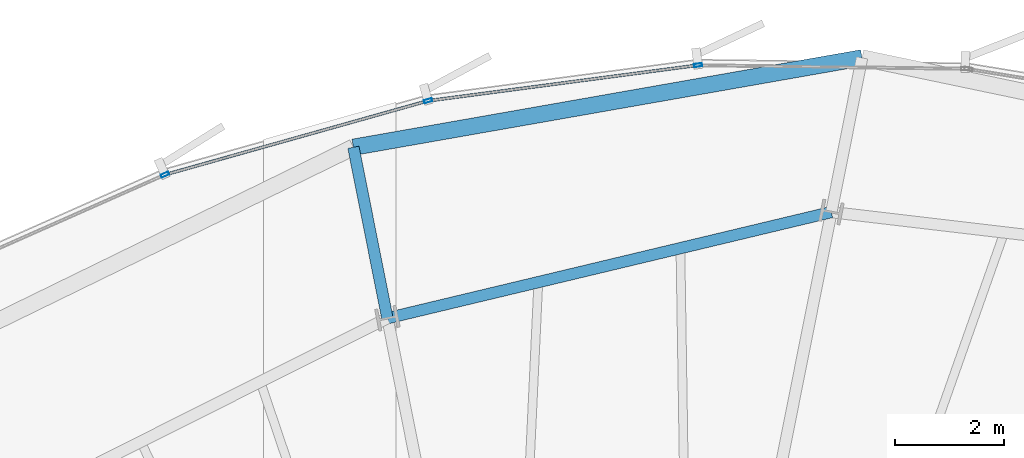
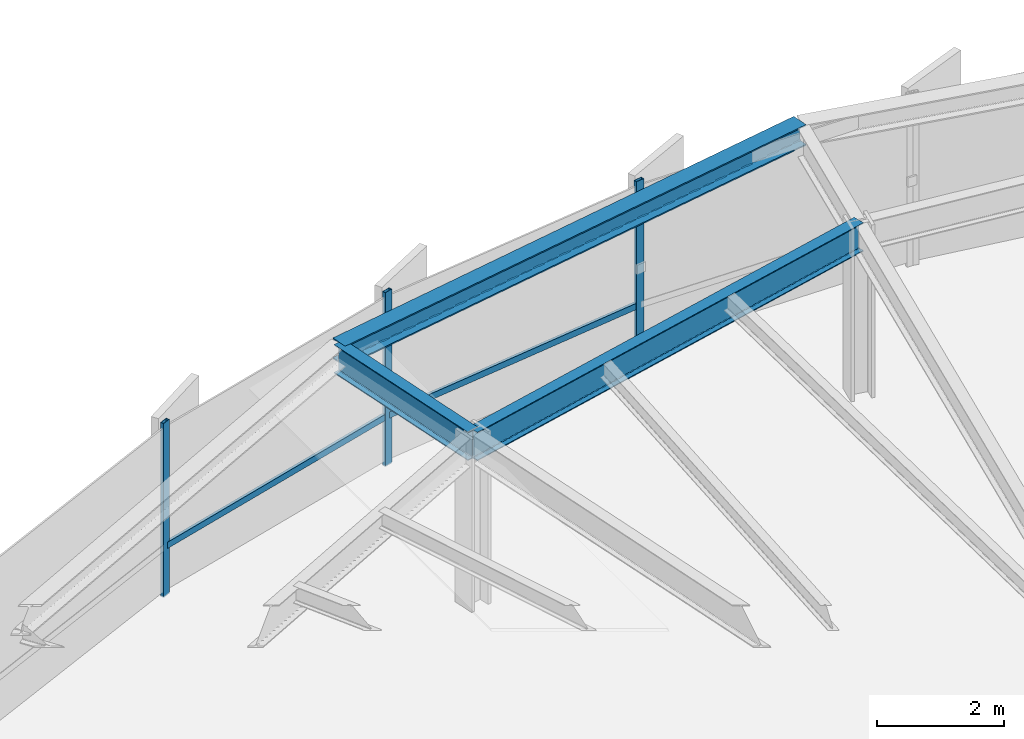
# One storey, part 21 of 33: 5 members, 3 beams, 1 element without a shape of its own.
"""IFC4 building model written with IfcOpenShell, lengths in metres."""

from ifc_helpers import new_model, si_unit, direction, frame, origin, origin_2d, place, context, subcontext, project, spatial, hollow_rectangle, i_section, extrude, source, transform, mapped, material, layer, layer_set, material_profile, profile_set, type_object, element, aggregate, save


model = new_model("IFC4")

# Units and contexts
model_context = context("Model", 3, precision=1e-05, world=origin(), true_north=direction((0.0, 1.0)))
body_context = subcontext(model_context, "Body", "Model", "MODEL_VIEW")
ifc_project = project(units=[si_unit("LENGTHUNIT", "METRE"), si_unit("AREAUNIT", "SQUARE_METRE"), si_unit("VOLUMEUNIT", "CUBIC_METRE"), si_unit("PLANEANGLEUNIT", "RADIAN"), si_unit("MASSUNIT", "GRAM", prefix="KILO"), si_unit("THERMODYNAMICTEMPERATUREUNIT", "KELVIN")], contexts=[model_context])

# Site, building, storey
site_placement = place(None, origin())
site = spatial("IfcSite", under=ifc_project, at=site_placement, CompositionType="ELEMENT")
building_placement = place(site_placement, origin())
building = spatial("IfcBuilding", under=site, at=building_placement, Name="Kethvar Cultural Tower", CompositionType="ELEMENT")
storey_placement = place(building_placement, frame((0.0, 0.0, 114.39990234375)))
storey = spatial("IfcBuildingStorey", under=building, at=storey_placement, Name="L28", CompositionType="ELEMENT", Elevation=114.39990234375)

# Beams
ifc_material_1 = material(Name="Steel S355J2", Category="steel")
ifc_material_profile_1 = material_profile(ifc_material_1, i_section(OverallWidth=0.2099609375, OverallDepth=0.550048828125, WebThickness=0.010986328125, FlangeThickness=0.01708984375, FilletRadius=0.02392578125, at=origin_2d()), Name="Steel S355J2 — IPE550")
ifc_profile_set_1 = profile_set([ifc_material_profile_1], Name="Steel S355J2 — IPE550")
beam_type_1 = type_object("IfcBeamType", Name="BM-IPE550", PredefinedType="BEAM", material=ifc_profile_set_1)
shared_shape_1 = source(origin(), body_context, "Body", "SweptSolid", [
    extrude(i_section(OverallWidth=0.2099609375, OverallDepth=0.550048828125, WebThickness=0.010986328125, FlangeThickness=0.01708984375, FilletRadius=0.02392578125, at=origin_2d()), origin(), (0.0, 0.0, 1.0), 3.199951171875),
])
beam_1_placement = place(storey_placement, frame((42.9189453125, 47.311279296875, 3.072998046875), z_axis=(-0.195088965533, 0.980785550224, 0.0), x_axis=(-0.980785550224, -0.195088965533, 0.0)))
element("IfcBeam", 1, at=beam_1_placement, inside=storey, type_object=beam_type_1, Name="L28 Perimeter Cantilever Beam RC-05", PredefinedType="BEAM", context=body_context, shape_type="MappedRepresentation", body=[
    mapped(shared_shape_1, transform((0.0, 0.0, 0.0), scale=1.0)),
])
shared_shape_2 = source(origin(), body_context, "Body", "SweptSolid", [
    extrude(i_section(OverallWidth=0.2099609375, OverallDepth=0.550048828125, WebThickness=0.010986328125, FlangeThickness=0.01708984375, FilletRadius=0.02392578125, at=origin_2d()), origin(), (0.0, 0.0, 1.0), 8.379150390625),
])
beam_2_placement = place(storey_placement, frame((51.068603515625, 49.25927734375, 3.072998046875), z_axis=(-0.972601380857, -0.232479147355, 0.0), x_axis=(0.232479147355, -0.972601380857, 0.0)))
element("IfcBeam", 2, at=beam_2_placement, inside=storey, type_object=beam_type_1, Name="L28 Column Ring Tie Beam CR-04", PredefinedType="BEAM", context=body_context, shape_type="MappedRepresentation", body=[
    mapped(shared_shape_2, transform((0.0, 0.0, 0.0), scale=1.0)),
])
ifc_material_profile_2 = material_profile(ifc_material_1, i_section(OverallWidth=0.300048828125, OverallDepth=0.39990234375, WebThickness=0.013427734375, FlangeThickness=0.02392578125, FilletRadius=0.027099609375, at=origin_2d()), Name="Steel S355J2 — HEB400")
ifc_profile_set_2 = profile_set([ifc_material_profile_2], Name="Steel S355J2 — HEB400")
beam_type_2 = type_object("IfcBeamType", Name="BM-SP400", PredefinedType="SPANDREL", material=ifc_profile_set_2)
shared_shape_3 = source(origin(), body_context, "Body", "SweptSolid", [
    extrude(i_section(OverallWidth=0.300048828125, OverallDepth=0.39990234375, WebThickness=0.013427734375, FlangeThickness=0.02392578125, FilletRadius=0.027099609375, at=origin_2d()), origin(), (0.0, 0.0, 1.0), 9.47998046875),
])
beam_3_placement = place(storey_placement, frame((51.631591796875, 52.0908203125, 3.148193359375), z_axis=(-0.984902069812, -0.17311242844, 0.0), x_axis=(0.17311242844, -0.984902069812, 0.0)))
element("IfcBeam", 3, at=beam_3_placement, inside=storey, type_object=beam_type_2, Name="L28 Perimeter Spandrel Beam SP-04", PredefinedType="SPANDREL", context=body_context, shape_type="MappedRepresentation", body=[
    mapped(shared_shape_3, transform((0.0, 0.0, 0.0), scale=1.0)),
])

# Curtain wall, members
ifc_material_2 = material(Name="Aluminium 6063-T6", Category="aluminium")
ifc_layer = layer(ifc_material_2, 0.179931640625, Name="Aluminium 6063-T6", Category="aluminium")
ifc_layer_set = layer_set([ifc_layer], Name="Aluminium 6063-T6 (180 mm)")
curtain_wall_type = type_object("IfcCurtainWallType", Name="CW-SYS-03-Z2", PredefinedType="NOTDEFINED", material=ifc_layer_set)
curtain_wall_placement = place(storey_placement, origin())
curtain_wall = element("IfcCurtainWall", 4, at=curtain_wall_placement, inside=storey, type_object=curtain_wall_type, Name="L28 Curtain Wall Run 02", PredefinedType="NOTDEFINED")
ifc_material_profile_3 = material_profile(ifc_material_2, hollow_rectangle(XDim=0.06005859375, YDim=0.14990234375, WallThickness=0.0048828125, at=origin_2d()), Name="Aluminium 6063-T6 — RHS150x60x5")
ifc_profile_set_3 = profile_set([ifc_material_profile_3], Name="Aluminium 6063-T6 — RHS150x60x5")
member_type_1 = type_object("IfcMemberType", Name="CW-SYS-03-Z2-MUL", PredefinedType="MULLION", material=ifc_profile_set_3)
shared_shape_4 = source(origin(), body_context, "Body", "SweptSolid", [
    extrude(hollow_rectangle(XDim=0.06005859375, YDim=0.14990234375, WallThickness=0.0048828125, at=origin_2d()), origin(), (0.0, 0.0, 1.0), 3.35009765625),
])
member_1_placement = place(storey_placement, frame((48.622314453125, 51.956298828125, 0.0), z_axis=(0.0, 0.0, 1.0), x_axis=(0.130906870087, -0.991394669828, 0.0)))
member_1 = element("IfcMember", 5, at=member_1_placement, type_object=member_type_1, Name="CW-L28-R02 Mullion 2", PredefinedType="MULLION", context=body_context, shape_type="MappedRepresentation", body=[
    mapped(shared_shape_4, transform((0.0, 0.0, 0.0), scale=1.0)),
])
member_2_placement = place(storey_placement, frame((43.664794921875, 51.302734375, 0.0), z_axis=(0.0, 0.0, 1.0), x_axis=(0.270684455649, -0.962668128417, 0.0)))
member_2 = element("IfcMember", 6, at=member_2_placement, type_object=member_type_1, Name="CW-L28-R02 Mullion 3", PredefinedType="MULLION", context=body_context, shape_type="MappedRepresentation", body=[
    mapped(shared_shape_4, transform((0.0, 0.0, 0.0), scale=1.0)),
])
member_3_placement = place(storey_placement, frame((38.835693359375, 49.9462890625, 0.0), z_axis=(0.0, 0.0, 1.0), x_axis=(0.405173500016, -0.914239812568, 0.0)))
member_3 = element("IfcMember", 7, at=member_3_placement, type_object=member_type_1, Name="CW-L28-R02 Mullion 4", PredefinedType="MULLION", context=body_context, shape_type="MappedRepresentation", body=[
    mapped(shared_shape_4, transform((0.0, 0.0, 0.0), scale=1.0)),
])
ifc_material_profile_4 = material_profile(ifc_material_2, hollow_rectangle(XDim=0.054931640625, YDim=0.1201171875, WallThickness=0.00390625, at=origin_2d()), Name="Aluminium 6063-T6 — RHS120x55x4")
ifc_profile_set_4 = profile_set([ifc_material_profile_4], Name="Aluminium 6063-T6 — RHS120x55x4")
member_type_2 = type_object("IfcMemberType", Name="CW-SYS-03-Z2-TRN", PredefinedType="USERDEFINED", material=ifc_profile_set_4)
shared_shape_5 = source(origin(), body_context, "Body", "SweptSolid", [
    extrude(hollow_rectangle(XDim=0.054931640625, YDim=0.1201171875, WallThickness=0.00390625, at=origin_2d()), origin(), (0.0, 0.0, 1.0), 4.930419921875),
])
member_4_placement = place(storey_placement, frame((48.579345703125, 51.950439453125, 0.9501953125), z_axis=(-0.991398755319, -0.130875925793, 0.0), x_axis=(0.130875925793, -0.991398755319, 0.0)))
member_4 = element("IfcMember", 8, at=member_4_placement, type_object=member_type_2, Name="CW-L28-R02 Transom 2", ObjectType="TRANSOM", PredefinedType="USERDEFINED", context=body_context, shape_type="MappedRepresentation", body=[
    mapped(shared_shape_5, transform((0.0, 0.0, 0.0), scale=1.0)),
])
shared_shape_6 = source(origin(), body_context, "Body", "SweptSolid", [
    extrude(hollow_rectangle(XDim=0.054931640625, YDim=0.1201171875, WallThickness=0.00390625, at=origin_2d()), origin(), (0.0, 0.0, 1.0), 4.94580078125),
])
member_5_placement = place(storey_placement, frame((43.623046875, 51.291015625, 0.9501953125), z_axis=(-0.962675863237, -0.270656945858, 0.0), x_axis=(0.270656945858, -0.962675863237, 0.0)))
member_5 = element("IfcMember", 9, at=member_5_placement, type_object=member_type_2, Name="CW-L28-R02 Transom 3", ObjectType="TRANSOM", PredefinedType="USERDEFINED", context=body_context, shape_type="MappedRepresentation", body=[
    mapped(shared_shape_6, transform((0.0, 0.0, 0.0), scale=1.0)),
])
aggregate(curtain_wall, [member_1, member_2, member_3, member_4, member_5])

save(model, "model.ifc")
